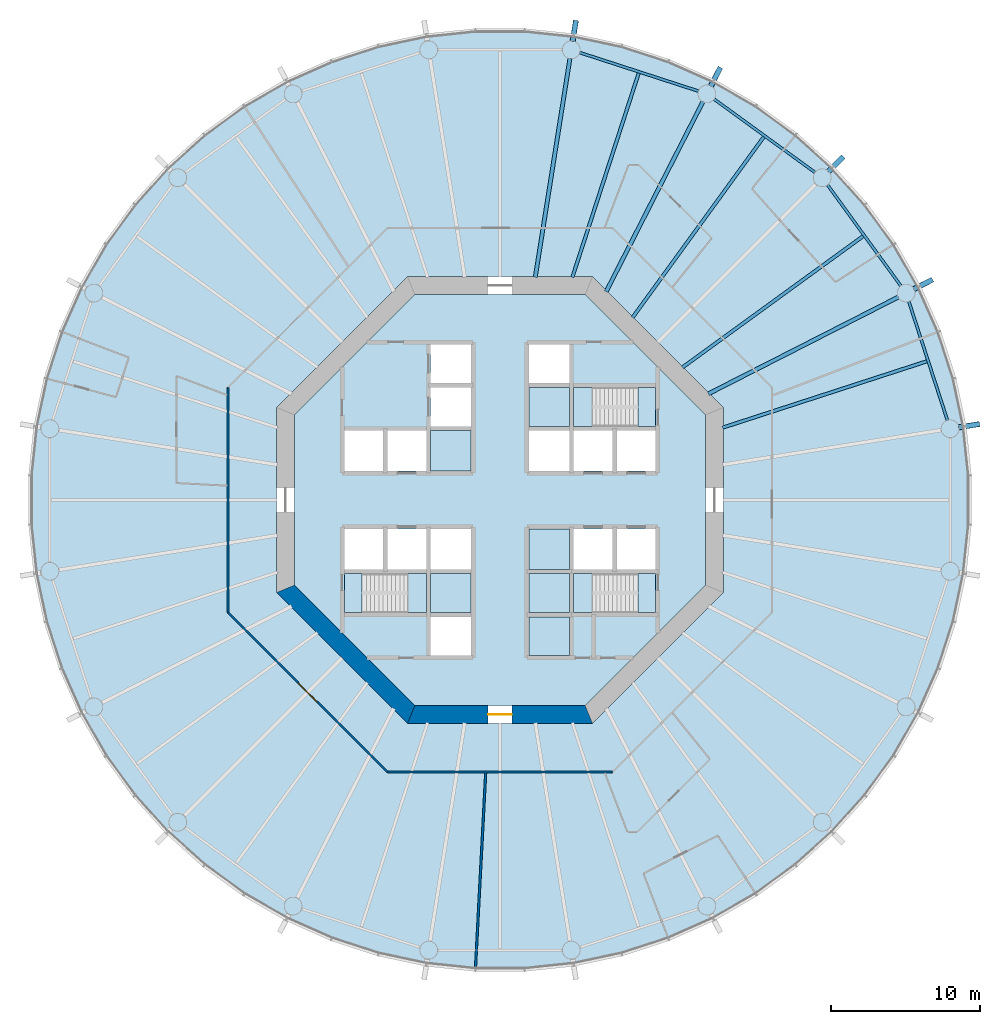
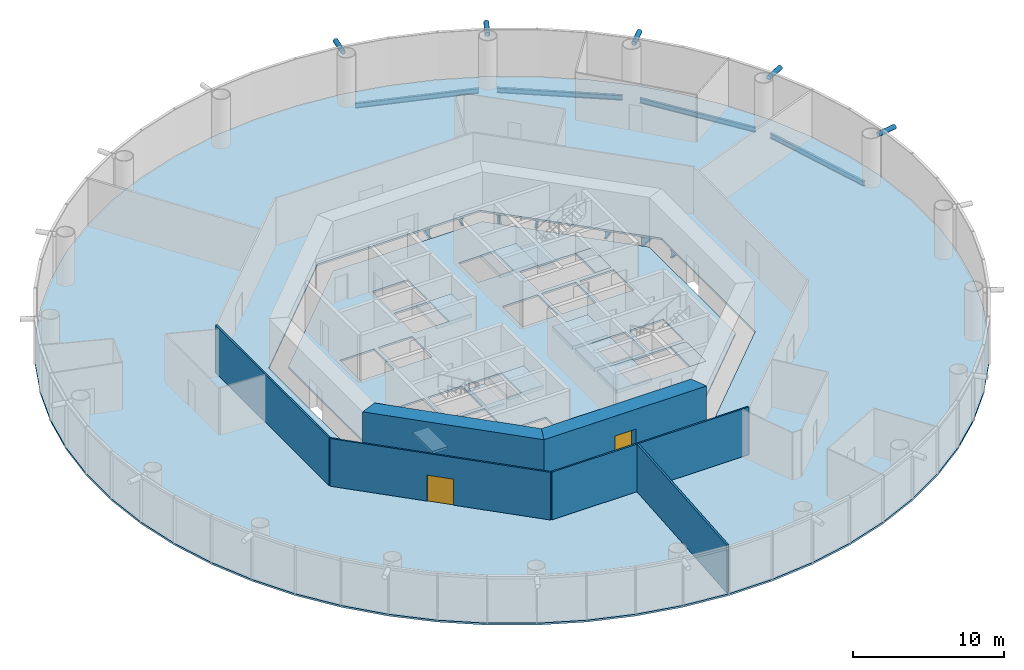
# One storey, part 2 of 12: 14 slabs, 11 beams, 6 walls, 5 members, 2 doors, 2 openings, 3 elements without a shape of their own.
"""IFC4 building model written with IfcOpenShell, lengths in metres."""

from ifc_helpers import new_model, si_unit, direction, frame, frame_2d, origin, origin_2d, place, context, subcontext, project, spatial, polyline, rectangle, circle, hollow_circle, i_section, outline, extrude, material, layer, layer_set, material_profile, profile_set, type_object, element, fill, aggregate, save


model = new_model("IFC4")

# Units and contexts
model_context = context("Model", 3, precision=1e-05, world=origin(), true_north=direction((0.0, 1.0)))
body_context = subcontext(model_context, "Body", "Model", "MODEL_VIEW")
ifc_project = project(units=[si_unit("LENGTHUNIT", "METRE"), si_unit("AREAUNIT", "SQUARE_METRE"), si_unit("VOLUMEUNIT", "CUBIC_METRE"), si_unit("PLANEANGLEUNIT", "RADIAN"), si_unit("MASSUNIT", "GRAM", prefix="KILO")], contexts=[model_context])

# Site, building, storey
site_placement = place(None, origin())
site = spatial("IfcSite", under=ifc_project, at=site_placement, CompositionType="ELEMENT")
building_placement = place(site_placement, origin())
building = spatial("IfcBuilding", under=site, at=building_placement, Name="Entoto Ring Tower", CompositionType="ELEMENT")
storey_placement = place(building_placement, frame((0.0, 0.0, 128.0)))
storey = spatial("IfcBuildingStorey", under=building, at=storey_placement, Name="L29", CompositionType="ELEMENT", Elevation=128.0)

# Members
ifc_material_1 = material(Name="Steel S355", Category="steel")
ifc_material_profile_1 = material_profile(ifc_material_1, hollow_circle(Radius=0.177734375, WallThickness=0.01611328125, at=origin_2d()), Name="CHS 355.6 x 16")
ifc_material_2 = material(Name="Concrete C60/75", Category="concrete")
ifc_material_profile_2 = material_profile(ifc_material_2, circle(Radius=0.161865234375, at=origin_2d()), Name="Concrete C60/75 infill")
ifc_profile_set_1 = profile_set([ifc_material_profile_1, ifc_material_profile_2], Name="Steel S355")
member_type = type_object("IfcMemberType", Name="Diagrid node strut 355.6 x 16", PredefinedType="STRUT", material=ifc_profile_set_1)
member_1_placement = place(storey_placement, frame((120.795166015625, 84.87744140625, 3.672119140625), z_axis=(0.987676449715, 0.156509522646, 0.0), x_axis=(-0.156509522646, 0.987676449715, 0.0)))
element("IfcMember", 1, at=member_1_placement, inside=storey, type_object=member_type, Name="DS1 strut ring 8 01", PredefinedType="STRUT", context=body_context, shape_type="SweptSolid", body=[
    extrude(hollow_circle(Radius=0.177734375, WallThickness=0.01611328125, at=origin_2d()), origin(), (0.0, 0.0, 1.0), 1.421142578125),
])
member_2_placement = place(storey_placement, frame((117.78076171875, 94.155029296875, 3.672119140625), z_axis=(0.891034252013, 0.45393607671, 0.0), x_axis=(-0.45393607671, 0.891034252013, 0.0)))
element("IfcMember", 2, at=member_2_placement, inside=storey, type_object=member_type, Name="DS1 strut ring 8 02", PredefinedType="STRUT", context=body_context, shape_type="SweptSolid", body=[
    extrude(hollow_circle(Radius=0.177734375, WallThickness=0.01611328125, at=origin_2d()), origin(), (0.0, 0.0, 1.0), 1.4208984375),
])
member_3_placement = place(storey_placement, frame((112.046875, 102.046875, 3.672119140625), z_axis=(0.707106781187, 0.707106781187, 0.0), x_axis=(-0.707106781187, 0.707106781187, 0.0)))
element("IfcMember", 3, at=member_3_placement, inside=storey, type_object=member_type, Name="DS1 strut ring 8 03", PredefinedType="STRUT", context=body_context, shape_type="SweptSolid", body=[
    extrude(hollow_circle(Radius=0.177734375, WallThickness=0.01611328125, at=origin_2d()), origin(), (0.0, 0.0, 1.0), 1.421142578125),
])
member_4_placement = place(storey_placement, frame((104.155029296875, 107.78076171875, 3.672119140625), z_axis=(0.45393607671, 0.891034252013, 0.0), x_axis=(-0.891034252013, 0.45393607671, 0.0)))
element("IfcMember", 4, at=member_4_placement, inside=storey, type_object=member_type, Name="DS1 strut ring 8 04", PredefinedType="STRUT", context=body_context, shape_type="SweptSolid", body=[
    extrude(hollow_circle(Radius=0.177734375, WallThickness=0.01611328125, at=origin_2d()), origin(), (0.0, 0.0, 1.0), 1.4208984375),
])
member_5_placement = place(storey_placement, frame((94.87744140625, 110.795166015625, 3.672119140625), z_axis=(0.156509522646, 0.987676449715, 0.0), x_axis=(-0.987676449715, 0.156509522646, 0.0)))
element("IfcMember", 5, at=member_5_placement, inside=storey, type_object=member_type, Name="DS1 strut ring 8 05", PredefinedType="STRUT", context=body_context, shape_type="SweptSolid", body=[
    extrude(hollow_circle(Radius=0.177734375, WallThickness=0.01611328125, at=origin_2d()), origin(), (0.0, 0.0, 1.0), 1.421142578125),
])

# Beams
ifc_material_3 = material(Name="Steel S355", Category="steel")
ifc_material_profile_3 = material_profile(ifc_material_3, i_section(OverallWidth=0.179931640625, OverallDepth=0.39990234375, WebThickness=0.008544921875, FlangeThickness=0.013427734375, FilletRadius=0.02099609375, at=origin_2d()), Name="IPE 400")
ifc_profile_set_2 = profile_set([ifc_material_profile_3], Name="Steel S355")
beam_type_1 = type_object("IfcBeamType", Name="Edge beam IPE 400", PredefinedType="SPANDREL", material=ifc_profile_set_2)
for number, where, z_axis, x_axis, name in (
    (6, (120.038330078125, 85.35595703125, -0.35009765625), (-0.309014241039, 0.951057410904, 0.0), (-0.951057410904, -0.309014241039, 0.0), "Edge beam L29 01"),
    (7, (116.9130859375, 94.376220703125, -0.35009765625), (-0.587783458554, 0.8090182976, 0.0), (-0.8090182976, -0.587783458554, 0.0), "Edge beam L29 02"),
    (8, (111.1533203125, 101.9892578125, -0.35009765625), (-0.8090182976, 0.587783458554, 0.0), (-0.587783458554, -0.8090182976, 0.0), "Edge beam L29 03"),
    (9, (103.322998046875, 107.44970703125, -0.35009765625), (-0.951057410904, 0.309014241039, 0.0), (-0.309014241039, -0.951057410904, 0.0), "Edge beam L29 04"),
):
    element("IfcBeam", number, at=place(storey_placement, frame(where, z_axis=z_axis, x_axis=x_axis)), inside=storey, type_object=beam_type_1, Name=name, PredefinedType="SPANDREL", context=body_context, shape_type="SweptSolid", body=[
        extrude(i_section(OverallWidth=0.179931640625, OverallDepth=0.39990234375, WebThickness=0.008544921875, FlangeThickness=0.013427734375, FilletRadius=0.02099609375, at=origin_2d()), origin(), (0.0, 0.0, 1.0), 8.376953125),
    ])
ifc_material_4 = material(Name="Steel S355", Category="steel")
ifc_material_profile_4 = material_profile(ifc_material_4, i_section(OverallWidth=0.262939453125, OverallDepth=0.7529296875, WebThickness=0.011474609375, FlangeThickness=0.01708984375, FilletRadius=0.01708984375, at=origin_2d()), Name="IPE 750 x 137")
ifc_profile_set_3 = profile_set([ifc_material_profile_4], Name="Steel S355")
beam_type_2 = type_object("IfcBeamType", Name="Primary floor beam IPE 750 x 137", PredefinedType="BEAM", material=ifc_profile_set_3)
for number, where, z_axis, x_axis, name in (
    (10, (103.9970703125, 87.1318359375, -0.526611328125), (0.891007312585, 0.453988952421, 0.0), (-0.453988952421, 0.891007312585, 0.0), "Primary L29 R02"),
    (11, (97.1318359375, 93.9970703125, -0.526611328125), (0.453988952421, 0.891007312585, 0.0), (-0.891007312585, 0.453988952421, 0.0), "Primary L29 R04"),
):
    element("IfcBeam", number, at=place(storey_placement, frame(where, z_axis=z_axis, x_axis=x_axis)), inside=storey, type_object=beam_type_2, Name=name, PredefinedType="BEAM", context=body_context, shape_type="SweptSolid", body=[
        extrude(i_section(OverallWidth=0.262939453125, OverallDepth=0.7529296875, WebThickness=0.011474609375, FlangeThickness=0.01708984375, FilletRadius=0.01708984375, at=origin_2d()), origin(), (0.0, 0.0, 1.0), 14.2998046875),
    ])
beam_1_placement = place(storey_placement, frame((92.369384765625, 94.959716796875, -0.526611328125), z_axis=(0.156426484787, 0.98768960451, 0.0), x_axis=(-0.98768960451, 0.156426484787, 0.0)))
element("IfcBeam", 12, at=beam_1_placement, inside=storey, type_object=beam_type_2, Name="Primary L29 R05", PredefinedType="BEAM", context=body_context, shape_type="SweptSolid", body=[
    extrude(i_section(OverallWidth=0.262939453125, OverallDepth=0.7529296875, WebThickness=0.011474609375, FlangeThickness=0.01708984375, FilletRadius=0.01708984375, at=origin_2d()), origin(), (0.0, 0.0, 1.0), 14.86279296875),
])
ifc_material_5 = material(Name="Steel S355", Category="steel")
ifc_material_profile_5 = material_profile(ifc_material_5, i_section(OverallWidth=0.219970703125, OverallDepth=0.60009765625, WebThickness=0.011962890625, FlangeThickness=0.01904296875, FilletRadius=0.02392578125, at=origin_2d()), Name="IPE 600")
ifc_profile_set_4 = profile_set([ifc_material_profile_5], Name="Steel S355")
beam_type_3 = type_object("IfcBeamType", Name="Secondary floor beam IPE 600", PredefinedType="JOIST", material=ifc_profile_set_4)
beam_2_placement = place(storey_placement, frame((104.947021484375, 84.856689453125, -0.449951171875), z_axis=(0.951057212949, 0.309014850288, 0.0), x_axis=(-0.309014850288, 0.951057212949, 0.0)))
element("IfcBeam", 13, at=beam_2_placement, inside=storey, type_object=beam_type_3, Name="Secondary beam L29 01", PredefinedType="JOIST", context=body_context, shape_type="SweptSolid", body=[
    extrude(i_section(OverallWidth=0.219970703125, OverallDepth=0.60009765625, WebThickness=0.011962890625, FlangeThickness=0.01904296875, FilletRadius=0.02392578125, at=origin_2d()), origin(), (0.0, 0.0, 1.0), 14.4169921875),
])
for number, where, z_axis, x_axis, name in (
    (14, (102.25634765625, 88.90478515625, -0.449951171875), (0.809019238239, 0.587782163866, 0.0), (-0.587782163866, 0.809019238239, 0.0), "Secondary beam L29 02"),
    (15, (98.90478515625, 92.25634765625, -0.449951171875), (0.587782163866, 0.809019238239, 0.0), (-0.809019238239, 0.587782163866, 0.0), "Secondary beam L29 03"),
):
    element("IfcBeam", number, at=place(storey_placement, frame(where, z_axis=z_axis, x_axis=x_axis)), inside=storey, type_object=beam_type_3, Name=name, PredefinedType="JOIST", context=body_context, shape_type="SweptSolid", body=[
        extrude(i_section(OverallWidth=0.219970703125, OverallDepth=0.60009765625, WebThickness=0.011962890625, FlangeThickness=0.01904296875, FilletRadius=0.02392578125, at=origin_2d()), origin(), (0.0, 0.0, 1.0), 14.983642578125),
    ])
beam_3_placement = place(storey_placement, frame((94.856689453125, 94.947021484375, -0.449951171875), z_axis=(0.309014850288, 0.951057212949, 0.0), x_axis=(-0.951057212949, 0.309014850288, 0.0)))
element("IfcBeam", 16, at=beam_3_placement, inside=storey, type_object=beam_type_3, Name="Secondary beam L29 04", PredefinedType="JOIST", context=body_context, shape_type="SweptSolid", body=[
    extrude(i_section(OverallWidth=0.219970703125, OverallDepth=0.60009765625, WebThickness=0.011962890625, FlangeThickness=0.01904296875, FilletRadius=0.02392578125, at=origin_2d()), origin(), (0.0, 0.0, 1.0), 14.4169921875),
])

# Slabs
ifc_material_6 = material(Name="Concrete C30/37", Category="concrete")
ifc_layer_1 = layer(ifc_material_6, 0.14990234375)
ifc_layer_set_1 = layer_set([ifc_layer_1], Name="Concrete C30/37")
slab_type_1 = type_object("IfcSlabType", Name="Composite floor slab 150 mm", PredefinedType="FLOOR", material=ifc_layer_set_1)
slab_1_placement = place(storey_placement, frame((0.0, 0.0, -0.14990234375)))
element("IfcSlab", 17, at=slab_1_placement, inside=storey, type_object=slab_type_1, Name="Floor slab L29", PredefinedType="FLOOR", context=body_context, shape_type="SweptSolid", body=[
    extrude(outline(polyline([(121.2109375, 84.943359375), (120.523193359375, 88.1787109375), (119.501220703125, 91.324462890625), (118.15576171875, 94.34619140625), (116.501953125, 97.210693359375), (114.557861328125, 99.886474609375), (112.344482421875, 102.344482421875), (109.886474609375, 104.557861328125), (107.210693359375, 106.501953125), (104.34619140625, 108.15576171875), (101.324462890625, 109.501220703125), (98.1787109375, 110.523193359375), (94.943359375, 111.2109375), (91.65380859375, 111.556640625), (88.34619140625, 111.556640625), (85.056640625, 111.2109375), (81.8212890625, 110.523193359375), (78.675537109375, 109.501220703125), (75.65380859375, 108.15576171875), (72.789306640625, 106.501953125), (70.113525390625, 104.557861328125), (67.655517578125, 102.344482421875), (65.442138671875, 99.886474609375), (63.498046875, 97.210693359375), (61.84423828125, 94.34619140625), (60.498779296875, 91.324462890625), (59.476806640625, 88.1787109375), (58.7890625, 84.943359375), (58.443359375, 81.65380859375), (58.443359375, 78.34619140625), (58.7890625, 75.056640625), (59.476806640625, 71.8212890625), (60.498779296875, 68.675537109375), (61.84423828125, 65.65380859375), (63.498046875, 62.789306640625), (65.442138671875, 60.113525390625), (67.655517578125, 57.655517578125), (70.113525390625, 55.442138671875), (72.789306640625, 53.498046875), (75.65380859375, 51.84423828125), (78.675537109375, 50.498779296875), (81.8212890625, 49.476806640625), (85.056640625, 48.7890625), (88.34619140625, 48.443359375), (91.65380859375, 48.443359375), (94.943359375, 48.7890625), (98.1787109375, 49.476806640625), (101.324462890625, 50.498779296875), (104.34619140625, 51.84423828125), (107.210693359375, 53.498046875), (109.886474609375, 55.442138671875), (112.344482421875, 57.655517578125), (114.557861328125, 60.113525390625), (116.501953125, 62.789306640625), (118.15576171875, 65.65380859375), (119.501220703125, 68.675537109375), (120.523193359375, 71.8212890625), (121.2109375, 75.056640625), (121.556640625, 78.34619140625), (121.556640625, 81.65380859375), (121.2109375, 84.943359375)]), holes=[polyline([(105.0, 73.786865234375), (105.0, 86.213134765625), (96.213134765625, 95.0), (83.786865234375, 95.0), (75.0, 86.213134765625), (75.0, 73.786865234375), (83.786865234375, 65.0), (96.213134765625, 65.0), (105.0, 73.786865234375)])]), origin(), (0.0, 0.0, 1.0), 0.14990234375),
])
ifc_material_7 = material(Name="Concrete C40/50", Category="concrete")
ifc_layer_2 = layer(ifc_material_7, 0.14990234375)
ifc_layer_set_2 = layer_set([ifc_layer_2], Name="Concrete C40/50")
slab_type_2 = type_object("IfcSlabType", Name="Core floor slab 150 mm reinforced concrete C40/50", PredefinedType="FLOOR", material=ifc_layer_set_2)
slab_2_placement = place(storey_placement, frame((0.0, 0.0, -0.14990234375)))
element("IfcSlab", 18, at=slab_2_placement, inside=storey, type_object=slab_type_2, Name="Core floor L29", PredefinedType="FLOOR", context=body_context, shape_type="SweptSolid", body=[
    extrude(outline(polyline([(103.800048828125, 74.283935546875), (103.800048828125, 85.716064453125), (95.716064453125, 93.800048828125), (84.283935546875, 93.800048828125), (76.199951171875, 85.716064453125), (76.199951171875, 74.283935546875), (84.283935546875, 66.199951171875), (95.716064453125, 66.199951171875), (103.800048828125, 74.283935546875)]), holes=[polyline([(100.449951171875, 84.949951171875), (100.449951171875, 87.550048828125), (94.949951171875, 87.550048828125), (94.949951171875, 84.949951171875), (100.449951171875, 84.949951171875)]), polyline([(85.050048828125, 72.449951171875), (85.050048828125, 75.050048828125), (79.550048828125, 75.050048828125), (79.550048828125, 72.449951171875), (85.050048828125, 72.449951171875)]), polyline([(100.449951171875, 72.449951171875), (100.449951171875, 75.050048828125), (94.949951171875, 75.050048828125), (94.949951171875, 72.449951171875), (100.449951171875, 72.449951171875)]), polyline([(94.949951171875, 81.949951171875), (97.550048828125, 81.949951171875), (97.550048828125, 84.64990234375), (94.949951171875, 84.64990234375), (94.949951171875, 81.949951171875)]), polyline([(97.85009765625, 81.949951171875), (100.449951171875, 81.949951171875), (100.449951171875, 84.64990234375), (97.85009765625, 84.64990234375), (97.85009765625, 81.949951171875)]), polyline([(82.449951171875, 81.949951171875), (85.050048828125, 81.949951171875), (85.050048828125, 84.64990234375), (82.449951171875, 84.64990234375), (82.449951171875, 81.949951171875)]), polyline([(94.949951171875, 75.35009765625), (97.550048828125, 75.35009765625), (97.550048828125, 78.050048828125), (94.949951171875, 78.050048828125), (94.949951171875, 75.35009765625)]), polyline([(97.85009765625, 75.35009765625), (100.449951171875, 75.35009765625), (100.449951171875, 78.050048828125), (97.85009765625, 78.050048828125), (97.85009765625, 75.35009765625)]), polyline([(82.449951171875, 75.35009765625), (85.050048828125, 75.35009765625), (85.050048828125, 78.050048828125), (82.449951171875, 78.050048828125), (82.449951171875, 75.35009765625)]), polyline([(79.550048828125, 81.949951171875), (82.14990234375, 81.949951171875), (82.14990234375, 84.64990234375), (79.550048828125, 84.64990234375), (79.550048828125, 81.949951171875)]), polyline([(79.550048828125, 75.35009765625), (82.14990234375, 75.35009765625), (82.14990234375, 78.050048828125), (79.550048828125, 78.050048828125), (79.550048828125, 75.35009765625)]), polyline([(91.949951171875, 87.85009765625), (94.64990234375, 87.85009765625), (94.64990234375, 90.449951171875), (91.949951171875, 90.449951171875), (91.949951171875, 87.85009765625)]), polyline([(85.35009765625, 69.550048828125), (88.050048828125, 69.550048828125), (88.050048828125, 72.14990234375), (85.35009765625, 72.14990234375), (85.35009765625, 69.550048828125)]), polyline([(91.949951171875, 81.949951171875), (94.64990234375, 81.949951171875), (94.64990234375, 84.64990234375), (91.949951171875, 84.64990234375), (91.949951171875, 81.949951171875)]), polyline([(85.35009765625, 75.35009765625), (88.050048828125, 75.35009765625), (88.050048828125, 78.050048828125), (85.35009765625, 78.050048828125), (85.35009765625, 75.35009765625)]), polyline([(85.35009765625, 84.949951171875), (88.050048828125, 84.949951171875), (88.050048828125, 87.550048828125), (85.35009765625, 87.550048828125), (85.35009765625, 84.949951171875)]), polyline([(85.35009765625, 87.85009765625), (88.050048828125, 87.85009765625), (88.050048828125, 90.449951171875), (85.35009765625, 90.449951171875), (85.35009765625, 87.85009765625)])]), origin(), (0.0, 0.0, 1.0), 0.14990234375),
])
ifc_material_8 = material(Name="Concrete C40/50", Category="concrete")
ifc_layer_3 = layer(ifc_material_8, 0.300048828125)
ifc_layer_set_3 = layer_set([ifc_layer_3], Name="Concrete C40/50")
slab_type_3 = type_object("IfcSlabType", Name="Lift pit floor 300 mm reinforced concrete", PredefinedType="FLOOR", material=ifc_layer_set_3)
slab_3_placement = place(storey_placement, frame((0.0, 0.0, 2.10009765625)))
element("IfcSlab", 19, at=slab_3_placement, inside=storey, type_object=slab_type_3, Name="Pit floor LB1-MR", PredefinedType="FLOOR", context=body_context, shape_type="SweptSolid", body=[
    extrude(outline(polyline([(94.64990234375, 84.949951171875), (94.64990234375, 87.550048828125), (91.949951171875, 87.550048828125), (91.949951171875, 84.949951171875), (94.64990234375, 84.949951171875)])), origin(), (0.0, 0.0, 1.0), 0.2998046875),
])
slab_4_placement = place(storey_placement, frame((0.0, 0.0, 2.10009765625)))
element("IfcSlab", 20, at=slab_4_placement, inside=storey, type_object=slab_type_3, Name="Pit floor LB2-MR", PredefinedType="FLOOR", context=body_context, shape_type="SweptSolid", body=[
    extrude(outline(polyline([(94.64990234375, 72.449951171875), (94.64990234375, 75.050048828125), (91.949951171875, 75.050048828125), (91.949951171875, 72.449951171875), (94.64990234375, 72.449951171875)])), origin(), (0.0, 0.0, 1.0), 0.2998046875),
])
slab_5_placement = place(storey_placement, frame((0.0, 0.0, 2.10009765625)))
element("IfcSlab", 21, at=slab_5_placement, inside=storey, type_object=slab_type_3, Name="Pit floor LB3-MR", PredefinedType="FLOOR", context=body_context, shape_type="SweptSolid", body=[
    extrude(outline(polyline([(94.64990234375, 69.550048828125), (94.64990234375, 72.14990234375), (91.949951171875, 72.14990234375), (91.949951171875, 69.550048828125), (94.64990234375, 69.550048828125)])), origin(), (0.0, 0.0, 1.0), 0.2998046875),
])
slab_6_placement = place(storey_placement, frame((0.0, 0.0, 2.10009765625)))
element("IfcSlab", 22, at=slab_6_placement, inside=storey, type_object=slab_type_3, Name="Pit floor LB4-MR", PredefinedType="FLOOR", context=body_context, shape_type="SweptSolid", body=[
    extrude(outline(polyline([(88.050048828125, 72.449951171875), (88.050048828125, 75.050048828125), (85.35009765625, 75.050048828125), (85.35009765625, 72.449951171875), (88.050048828125, 72.449951171875)])), origin(), (0.0, 0.0, 1.0), 0.2998046875),
])
slab_7_placement = place(storey_placement, frame((0.0, 0.0, 2.10009765625)))
element("IfcSlab", 23, at=slab_7_placement, inside=storey, type_object=slab_type_3, Name="Pit floor LB5-MR", PredefinedType="FLOOR", context=body_context, shape_type="SweptSolid", body=[
    extrude(outline(polyline([(88.050048828125, 81.949951171875), (88.050048828125, 84.64990234375), (85.35009765625, 84.64990234375), (85.35009765625, 81.949951171875), (88.050048828125, 81.949951171875)])), origin(), (0.0, 0.0, 1.0), 0.2998046875),
])
slab_8_placement = place(storey_placement, frame((0.0, 0.0, 2.10009765625)))
element("IfcSlab", 24, at=slab_8_placement, inside=storey, type_object=slab_type_3, Name="Pit floor LB6-MR", PredefinedType="FLOOR", context=body_context, shape_type="SweptSolid", body=[
    extrude(outline(polyline([(94.64990234375, 75.35009765625), (94.64990234375, 78.050048828125), (91.949951171875, 78.050048828125), (91.949951171875, 75.35009765625), (94.64990234375, 75.35009765625)])), origin(), (0.0, 0.0, 1.0), 0.2998046875),
])

# Stair, slabs
ifc_material_9 = material(Name="Concrete C40/50", Category="concrete")
stair_type = type_object("IfcStairType", Name="Exit stair 1200 mm dog-leg reinforced concrete", PredefinedType="HALF_TURN_STAIR", material=ifc_material_9)
stair_1_placement = place(storey_placement, origin())
stair_1 = element("IfcStair", 25, at=stair_1_placement, inside=storey, type_object=stair_type, Name="Exit stair 1", PredefinedType="HALF_TURN_STAIR")
ifc_material_10 = material(Name="Concrete C40/50", Category="concrete")
ifc_layer_4 = layer(ifc_material_10, 0.199951171875)
ifc_layer_set_4 = layer_set([ifc_layer_4], Name="Concrete C40/50")
slab_type_4 = type_object("IfcSlabType", Name="Stair landing 200 mm reinforced concrete", PredefinedType="LANDING", material=ifc_layer_set_4)
slab_9_placement = place(storey_placement, frame((0.0, 0.0, -0.199951171875)))
slab_9 = element("IfcSlab", 26, at=slab_9_placement, type_object=slab_type_4, Name="ST1 landing 1", PredefinedType="LANDING", context=body_context, shape_type="SweptSolid", body=[
    extrude(outline(polyline([(100.449951171875, 84.949951171875), (100.449951171875, 87.550048828125), (99.25, 87.550048828125), (99.25, 84.949951171875), (100.449951171875, 84.949951171875)])), origin(), (0.0, 0.0, 1.0), 0.199951171875),
])
slab_10_placement = place(storey_placement, frame((0.0, 0.0, 1.800048828125)))
slab_10 = element("IfcSlab", 27, at=slab_10_placement, type_object=slab_type_4, Name="ST1 landing 2", PredefinedType="LANDING", context=body_context, shape_type="SweptSolid", body=[
    extrude(outline(polyline([(94.949951171875, 84.949951171875), (96.169921875, 84.949951171875), (96.169921875, 87.550048828125), (94.949951171875, 87.550048828125), (94.949951171875, 84.949951171875)])), origin(), (0.0, 0.0, 1.0), 0.199951171875),
])
aggregate(stair_1, [slab_9, slab_10])

stair_2_placement = place(storey_placement, origin())
stair_2 = element("IfcStair", 28, at=stair_2_placement, inside=storey, type_object=stair_type, Name="Exit stair 2", PredefinedType="HALF_TURN_STAIR")
slab_11_placement = place(storey_placement, frame((0.0, 0.0, -0.199951171875)))
slab_11 = element("IfcSlab", 29, at=slab_11_placement, type_object=slab_type_4, Name="ST2 landing 1", PredefinedType="LANDING", context=body_context, shape_type="SweptSolid", body=[
    extrude(outline(polyline([(80.75, 72.449951171875), (80.75, 75.050048828125), (79.550048828125, 75.050048828125), (79.550048828125, 72.449951171875), (80.75, 72.449951171875)])), origin(), (0.0, 0.0, 1.0), 0.199951171875),
])
slab_12_placement = place(storey_placement, frame((0.0, 0.0, 1.800048828125)))
slab_12 = element("IfcSlab", 30, at=slab_12_placement, type_object=slab_type_4, Name="ST2 landing 2", PredefinedType="LANDING", context=body_context, shape_type="SweptSolid", body=[
    extrude(outline(polyline([(83.830078125, 72.449951171875), (85.050048828125, 72.449951171875), (85.050048828125, 75.050048828125), (83.830078125, 75.050048828125), (83.830078125, 72.449951171875)])), origin(), (0.0, 0.0, 1.0), 0.199951171875),
])
aggregate(stair_2, [slab_11, slab_12])

stair_3_placement = place(storey_placement, origin())
stair_3 = element("IfcStair", 31, at=stair_3_placement, inside=storey, type_object=stair_type, Name="Exit stair 3", PredefinedType="HALF_TURN_STAIR")
slab_13_placement = place(storey_placement, frame((0.0, 0.0, -0.199951171875)))
slab_13 = element("IfcSlab", 32, at=slab_13_placement, type_object=slab_type_4, Name="ST3 landing 1", PredefinedType="LANDING", context=body_context, shape_type="SweptSolid", body=[
    extrude(outline(polyline([(100.449951171875, 72.449951171875), (100.449951171875, 75.050048828125), (99.25, 75.050048828125), (99.25, 72.449951171875), (100.449951171875, 72.449951171875)])), origin(), (0.0, 0.0, 1.0), 0.199951171875),
])
slab_14_placement = place(storey_placement, frame((0.0, 0.0, 1.800048828125)))
slab_14 = element("IfcSlab", 33, at=slab_14_placement, type_object=slab_type_4, Name="ST3 landing 2", PredefinedType="LANDING", context=body_context, shape_type="SweptSolid", body=[
    extrude(outline(polyline([(94.949951171875, 72.449951171875), (96.169921875, 72.449951171875), (96.169921875, 75.050048828125), (94.949951171875, 75.050048828125), (94.949951171875, 72.449951171875)])), origin(), (0.0, 0.0, 1.0), 0.199951171875),
])
aggregate(stair_3, [slab_13, slab_14])

# Wall
ifc_material_11 = material(Name="Concrete C60/75", Category="concrete")
ifc_layer_5 = layer(ifc_material_11, 1.199951171875)
ifc_layer_set_5 = layer_set([ifc_layer_5], Name="Concrete C60/75")
wall_type_1 = type_object("IfcWallType", Name="Core shear wall 1200 mm reinforced concrete C60/75", PredefinedType="SHEAR", material=ifc_layer_set_5)
wall_1_placement = place(storey_placement, frame((75.60009765625, 74.035400390625, 0.0), z_axis=(0.0, 0.0, 1.0), x_axis=(0.707106781187, -0.707106781187, 0.0)))
element("IfcWall", 34, at=wall_1_placement, inside=storey, type_object=wall_type_1, Name="wall-L29-core-5", PredefinedType="SHEAR", context=body_context, shape_type="SweptSolid", body=[
    extrude(outline(polyline([(-0.24853515625, -0.60009765625), (12.177734375, -0.60009765625), (11.6806640625, 0.60009765625), (0.24853515625, 0.60009765625), (-0.24853515625, -0.60009765625)])), origin(), (0.0, 0.0, 1.0), 4.0),
])

# Wall, opening, door
wall_2_placement = place(storey_placement, frame((84.035400390625, 65.60009765625, 0.0), z_axis=(0.0, 0.0, 1.0), x_axis=(1.0, 0.0, 0.0)))
wall_2 = element("IfcWall", 35, at=wall_2_placement, inside=storey, type_object=wall_type_1, Name="wall-L29-core-6", PredefinedType="SHEAR", context=body_context, shape_type="SweptSolid", body=[
    extrude(outline(polyline([(-0.24853515625, -0.60009765625), (12.177734375, -0.60009765625), (11.6806640625, 0.60009765625), (0.24853515625, 0.60009765625), (-0.24853515625, -0.60009765625)])), origin(), (0.0, 0.0, 1.0), 4.0),
])
opening_1_placement = place(wall_2_placement, frame((5.164794921875, 0.0, 0.0)))
opening_1 = element("IfcOpeningElement", 36, at=opening_1_placement, cuts=wall_2, Name="Opening K-04", PredefinedType="OPENING", context=body_context, shape_type="SweptSolid", body=[
    extrude(rectangle(XDim=1.60009765625, YDim=2.39990234375, at=frame_2d((0.800048828125, 1.199951171875))), frame((0.0, 0.60986328125, 0.0), z_axis=(0.0, -1.0, 0.0), x_axis=(1.0, 0.0, 0.0)), (0.0, 0.0, 1.0), 1.219970703125),
])
ifc_material_12 = material(Name="Steel door leaf, fire rated", Category="steel")
ifc_layer_6 = layer(ifc_material_12, 0.050048828125)
ifc_layer_set_6 = layer_set([ifc_layer_6], Name="Steel door leaf, fire rated")
door_type_1 = type_object("IfcDoorType", Name="Entrance door FD60 1600 x 2400 double leaf", OperationType="DOUBLE_DOOR_SINGLE_SWING", PredefinedType="DOOR", material=ifc_layer_set_6)
door_1_placement = place(opening_1_placement, origin())
door_1 = element("IfcDoor", 37, at=door_1_placement, inside=storey, type_object=door_type_1, Name="Entrance door K-04", OperationType="DOUBLE_DOOR_SINGLE_SWING", OverallHeight=2.39990234375, OverallWidth=1.60009765625, PredefinedType="DOOR", context=body_context, shape_type="SweptSolid", body=[
    extrude(rectangle(XDim=1.60009765625, YDim=2.39990234375, at=frame_2d((0.800048828125, 1.199951171875))), frame((0.0, 0.02490234375, 0.0), z_axis=(0.0, -1.0, 0.0), x_axis=(1.0, 0.0, 0.0)), (0.0, 0.0, 1.0), 0.050048828125),
])
fill(opening_1, door_1)

ifc_material_13 = material(Name="Fire-resisting plasterboard on steel studs", Category="steel")
ifc_layer_7 = layer(ifc_material_13, 0.125)
ifc_layer_set_7 = layer_set([ifc_layer_7], Name="Fire-resisting plasterboard on steel studs")
wall_type_2 = type_object("IfcWallType", Name="Corridor wall 125 mm one-hour plasterboard on steel studs", PredefinedType="PARTITIONING", material=ifc_layer_set_7)
wall_3_placement = place(storey_placement, frame((82.435302734375, 61.737548828125, 0.0), z_axis=(0.0, 0.0, 1.0), x_axis=(-0.707106781187, 0.707106781187, 0.0)))
wall_3 = element("IfcWall", 38, at=wall_3_placement, inside=storey, type_object=wall_type_2, Name="partition-L29-002", PredefinedType="PARTITIONING", context=body_context, shape_type="SweptSolid", body=[
    extrude(rectangle(XDim=15.12890625, YDim=0.125, at=frame_2d((7.564453125, 0.0))), origin(), (0.0, 0.0, 1.0), 3.85009765625),
])
opening_2_placement = place(wall_3_placement, frame((6.66455078125, 0.0, 0.0)))
opening_2 = element("IfcOpeningElement", 39, at=opening_2_placement, cuts=wall_3, Name="Opening A12-D01", PredefinedType="OPENING", context=body_context, shape_type="SweptSolid", body=[
    extrude(rectangle(XDim=1.800048828125, YDim=2.10009765625, at=frame_2d((0.89990234375, 1.050048828125))), frame((0.0, 0.072509765625, 0.0), z_axis=(0.0, -1.0, 0.0), x_axis=(1.0, 0.0, 0.0)), (0.0, 0.0, 1.0), 0.14501953125),
])
ifc_material_14 = material(Name="Fire-resisting timber door set", Category="wood")
door_type_2 = type_object("IfcDoorType", Name="Door 1800 x 2100 double leaf FD30S fire door", OperationType="DOUBLE_DOOR_SINGLE_SWING", PredefinedType="DOOR", material=ifc_material_14)
door_2_placement = place(opening_2_placement, frame((1.800048828125, 0.0, 0.0), z_axis=(0.0, 0.0, 1.0), x_axis=(-1.0, 0.0, 0.0)))
door_2 = element("IfcDoor", 40, at=door_2_placement, inside=storey, type_object=door_type_2, Name="Door A12-D01", OperationType="DOUBLE_DOOR_SINGLE_SWING", OverallHeight=2.10009765625, OverallWidth=1.800048828125, PredefinedType="DOOR", context=body_context, shape_type="SweptSolid", body=[
    extrude(rectangle(XDim=1.800048828125, YDim=2.10009765625, at=frame_2d((0.89990234375, 1.050048828125))), frame((0.0, 0.02490234375, 0.0), z_axis=(0.0, -1.0, 0.0), x_axis=(1.0, 0.0, 0.0)), (0.0, 0.0, 1.0), 0.050048828125),
])
fill(opening_2, door_2)

# Walls
for number, where, z_axis, x_axis, name in (
    (41, (71.737548828125, 72.4794921875, 0.0), (0.0, 0.0, 1.0), (0.0, 1.0, 0.0), "partition-L29-005"),
    (42, (82.4794921875, 61.737548828125, 0.0), (0.0, 0.0, 1.0), (1.0, 0.0, 0.0), "partition-L29-006"),
):
    element("IfcWall", number, at=place(storey_placement, frame(where, z_axis=z_axis, x_axis=x_axis)), inside=storey, type_object=wall_type_2, Name=name, PredefinedType="PARTITIONING", context=body_context, shape_type="SweptSolid", body=[
        extrude(rectangle(XDim=15.041015625, YDim=0.125, at=frame_2d((7.5205078125, 0.0))), origin(), (0.0, 0.0, 1.0), 3.85009765625),
    ])
ifc_material_15 = material(Name="Fire-resisting acoustic plasterboard on steel studs", Category="steel")
ifc_layer_8 = layer(ifc_material_15, 0.14990234375)
ifc_layer_set_8 = layer_set([ifc_layer_8], Name="Fire-resisting acoustic plasterboard on steel studs")
wall_type_3 = type_object("IfcWallType", Name="Party wall 150 mm one-hour acoustic plasterboard on steel studs", PredefinedType="PARTITIONING", material=ifc_layer_set_8)
wall_4_placement = place(storey_placement, frame((88.3544921875, 48.60302734375, 0.0), z_axis=(0.0, 0.0, 1.0), x_axis=(0.052331654629, 0.998629760183, 0.0)))
element("IfcWall", 43, at=wall_4_placement, inside=storey, type_object=wall_type_3, Name="partition-L29-009", PredefinedType="PARTITIONING", context=body_context, shape_type="SweptSolid", body=[
    extrude(rectangle(XDim=13.0859375, YDim=0.14990234375, at=frame_2d((6.54296875, 0.0))), origin(), (0.0, 0.0, 1.0), 3.85009765625),
])

save(model, "model.ifc")
